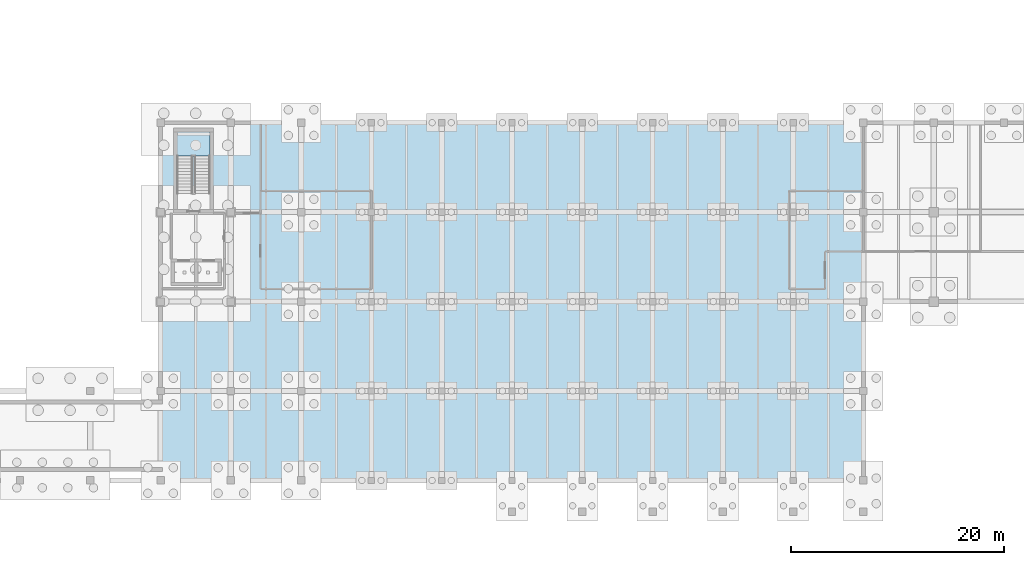
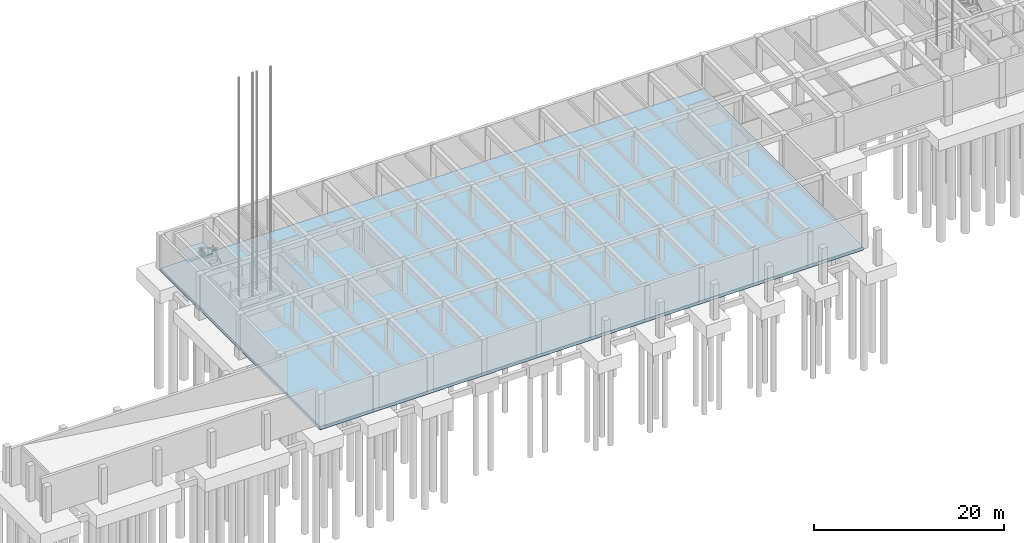
# One storey, part 13 of 44: 2 slabs, 1 element without a shape of its own.
"""IFC4 building model written with IfcOpenShell, lengths in metres."""

from ifc_helpers import new_model, si_unit, direction, frame, origin, place, context, subcontext, project, spatial, polyline, outline, extrude, material, layer, layer_set, type_object, element, aggregate, save


model = new_model("IFC4")

# Units and contexts
model_context = context("Model", 3, precision=1e-05, world=origin(), true_north=direction((0.0, 1.0)))
body_context = subcontext(model_context, "Body", "Model", "MODEL_VIEW")
ifc_project = project(units=[si_unit("LENGTHUNIT", "METRE"), si_unit("AREAUNIT", "SQUARE_METRE"), si_unit("VOLUMEUNIT", "CUBIC_METRE"), si_unit("PLANEANGLEUNIT", "RADIAN"), si_unit("MASSUNIT", "GRAM", prefix="KILO")], contexts=[model_context])

# Site, building, storey
site_placement = place(None, origin())
site = spatial("IfcSite", under=ifc_project, at=site_placement, CompositionType="ELEMENT")
building_placement = place(site_placement, origin())
building = spatial("IfcBuilding", under=site, at=building_placement, Name="Kolvaren Faculty of Natural Sciences", CompositionType="ELEMENT")
storey_placement = place(building_placement, frame((0.0, 0.0, -4.5)))
storey = spatial("IfcBuildingStorey", under=building, at=storey_placement, Name="B01", CompositionType="ELEMENT", Elevation=-4.5)

# Slab
ifc_material = material(Name="Concrete C35/45", Category="concrete")
ifc_layer_1 = layer(ifc_material, 0.39990234375)
ifc_layer_set_1 = layer_set([ifc_layer_1], Name="Concrete C35/45")
slab_type_1 = type_object("IfcSlabType", Name="BaseSlab_400", PredefinedType="BASESLAB", material=ifc_layer_set_1)
slab_1_placement = place(storey_placement, frame((0.0, 0.0, -0.39990234375)))
element("IfcSlab", 1, at=slab_1_placement, inside=storey, type_object=slab_type_1, Name="B01 V4 structural slab 1", PredefinedType="BASESLAB", context=body_context, shape_type="SweptSolid", body=[
    extrude(outline(polyline([(99.199951171875, 8.60009765625), (33.199951171875, 8.60009765625), (33.199951171875, 42.199951171875), (99.199951171875, 42.199951171875), (99.199951171875, 8.60009765625)])), origin(), (0.0, 0.0, 1.0), 0.39990234375),
])

# Stair, slab
stair_type = type_object("IfcStairType", Name="DoglegStair_H4500", PredefinedType="HALF_TURN_STAIR", material=ifc_material)
stair_placement = place(storey_placement, origin())
stair = element("IfcStair", 2, at=stair_placement, inside=storey, type_object=stair_type, Name="B01 Protected exit stair ST-4", PredefinedType="HALF_TURN_STAIR")
ifc_layer_2 = layer(ifc_material, 0.199951171875)
ifc_layer_set_2 = layer_set([ifc_layer_2], Name="Concrete C35/45")
slab_type_2 = type_object("IfcSlabType", Name="StairLandingSlab_200", PredefinedType="LANDING", material=ifc_layer_set_2)
slab_2_placement = place(storey_placement, frame((0.0, 0.0, 2.050048828125)))
slab_2 = element("IfcSlab", 3, at=slab_2_placement, type_object=slab_type_2, Name="ST-4 landing 1", PredefinedType="LANDING", context=body_context, shape_type="SweptSolid", body=[
    extrude(outline(polyline([(37.85009765625, 39.090087890625), (37.85009765625, 41.35009765625), (34.75, 41.35009765625), (34.75, 39.090087890625), (37.85009765625, 39.090087890625)])), origin(), (0.0, 0.0, 1.0), 0.199951171875),
])
aggregate(stair, [slab_2])

save(model, "model.ifc")
